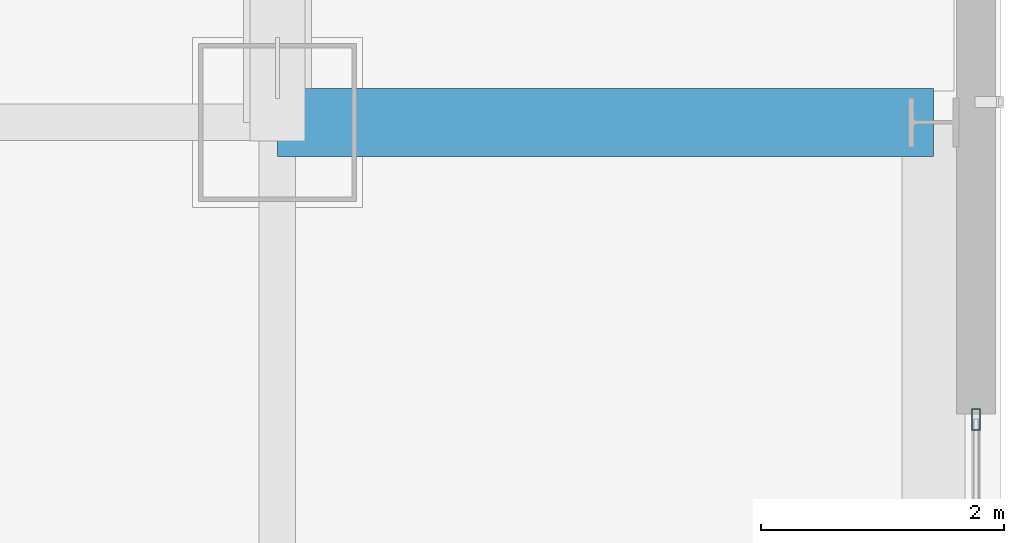
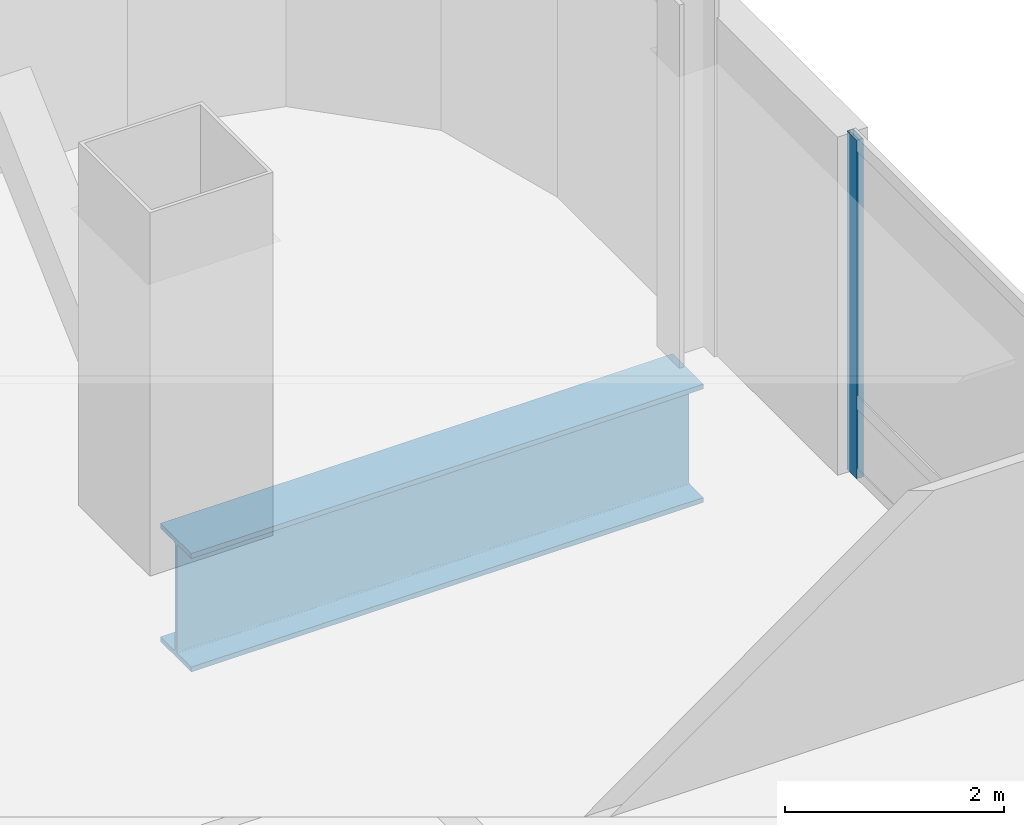
# One storey, part 30 of 51: 1 beam, 1 member, 1 element without a shape of its own.
"""IFC4 building model written with IfcOpenShell, lengths in metres."""

from ifc_helpers import new_model, si_unit, direction, frame, origin, origin_2d, place, context, subcontext, project, spatial, hollow_rectangle, i_section, extrude, material, material_profile, profile_set, type_object, element, aggregate, save


model = new_model("IFC4")

# Units and contexts
model_context = context("Model", 3, precision=1e-05, world=origin(), true_north=direction((0.0, 1.0)))
body_context = subcontext(model_context, "Body", "Model", "MODEL_VIEW")
ifc_project = project(units=[si_unit("LENGTHUNIT", "METRE"), si_unit("AREAUNIT", "SQUARE_METRE"), si_unit("VOLUMEUNIT", "CUBIC_METRE"), si_unit("PLANEANGLEUNIT", "RADIAN"), si_unit("MASSUNIT", "GRAM", prefix="KILO")], contexts=[model_context])

# Site, building, storey
site_placement = place(None, origin())
site = spatial("IfcSite", under=ifc_project, at=site_placement, CompositionType="ELEMENT")
building_placement = place(site_placement, origin())
building = spatial("IfcBuilding", under=site, at=building_placement, Name="Punatoya Terracotta Tower", CompositionType="ELEMENT")
storey_placement = place(building_placement, frame((0.0, 0.0, 279.75)))
storey = spatial("IfcBuildingStorey", under=building, at=storey_placement, Name="L66", CompositionType="ELEMENT", Elevation=279.75)

# Beam
ifc_material_1 = material(Name="Steel S460", Category="steel")
ifc_material_profile_1 = material_profile(ifc_material_1, i_section(OverallWidth=0.56005859375, OverallDepth=1.320068359375, WebThickness=0.035888671875, FlangeThickness=0.054931640625, FilletRadius=0.01806640625, at=origin_2d()))
ifc_profile_set_1 = profile_set([ifc_material_profile_1], Name="Steel S460")
beam_type = type_object("IfcBeamType", Name="BM-TG-BLK", PredefinedType="BEAM", material=ifc_profile_set_1)
beam_placement = place(storey_placement, frame((19.10009765625, 17.5, -0.860107421875), z_axis=(1.0, 0.0, 0.0), x_axis=(0.0, 1.0, 0.0)))
element("IfcBeam", 1, at=beam_placement, inside=storey, type_object=beam_type, Name="BM-L66-CANT-E4", PredefinedType="BEAM", context=body_context, shape_type="SweptSolid", body=[
    extrude(i_section(OverallWidth=0.56005859375, OverallDepth=1.320068359375, WebThickness=0.035888671875, FlangeThickness=0.054931640625, FilletRadius=0.01806640625, at=origin_2d()), origin(), (0.0, 0.0, 1.0), 5.39990234375),
])

# Curtain wall, member
ifc_material_2 = material(Name="Aluminium 6063-T6 + Double Low-E Glass", Category="aluminium")
curtain_wall_type = type_object("IfcCurtainWallType", Name="CW-M3", PredefinedType="NOTDEFINED", material=ifc_material_2)
curtain_wall_placement = place(storey_placement, origin())
curtain_wall = element("IfcCurtainWall", 2, at=curtain_wall_placement, inside=storey, type_object=curtain_wall_type, Name="L66 Curtain Wall CW-L66-E05-1", PredefinedType="NOTDEFINED")
ifc_material_3 = material(Name="Aluminium 6063-T6", Category="aluminium")
ifc_material_profile_2 = material_profile(ifc_material_3, hollow_rectangle(XDim=0.070068359375, YDim=0.179931640625, WallThickness=0.00390625, at=origin_2d()))
ifc_profile_set_2 = profile_set([ifc_material_profile_2], Name="Aluminium 6063-T6")
member_type = type_object("IfcMemberType", Name="CW-MUL-M3", PredefinedType="MULLION", material=ifc_profile_set_2)
member_placement = place(storey_placement, frame((24.85009765625, 15.054931640625, 0.0), z_axis=(0.0, 0.0, 1.0), x_axis=(1.0, 0.0, 0.0)))
member = element("IfcMember", 3, at=member_placement, type_object=member_type, Name="CW-L66-E05-1 Mullion 07", PredefinedType="MULLION", context=body_context, shape_type="SweptSolid", body=[
    extrude(hollow_rectangle(XDim=0.070068359375, YDim=0.179931640625, WallThickness=0.00390625, at=origin_2d()), origin(), (0.0, 0.0, 1.0), 3.77001953125),
])
aggregate(curtain_wall, [member])

save(model, "model.ifc")
